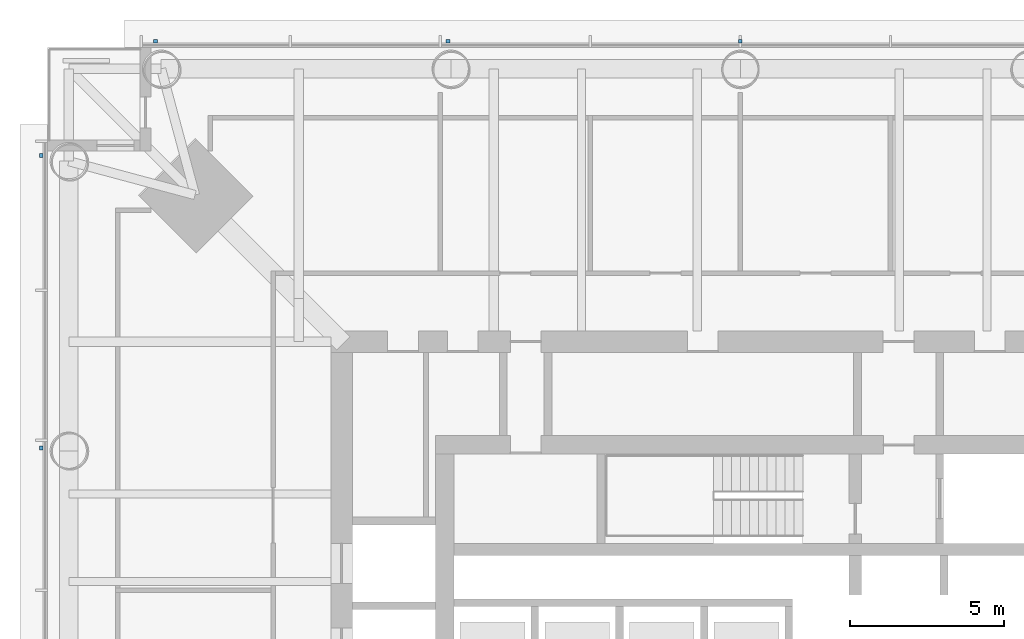
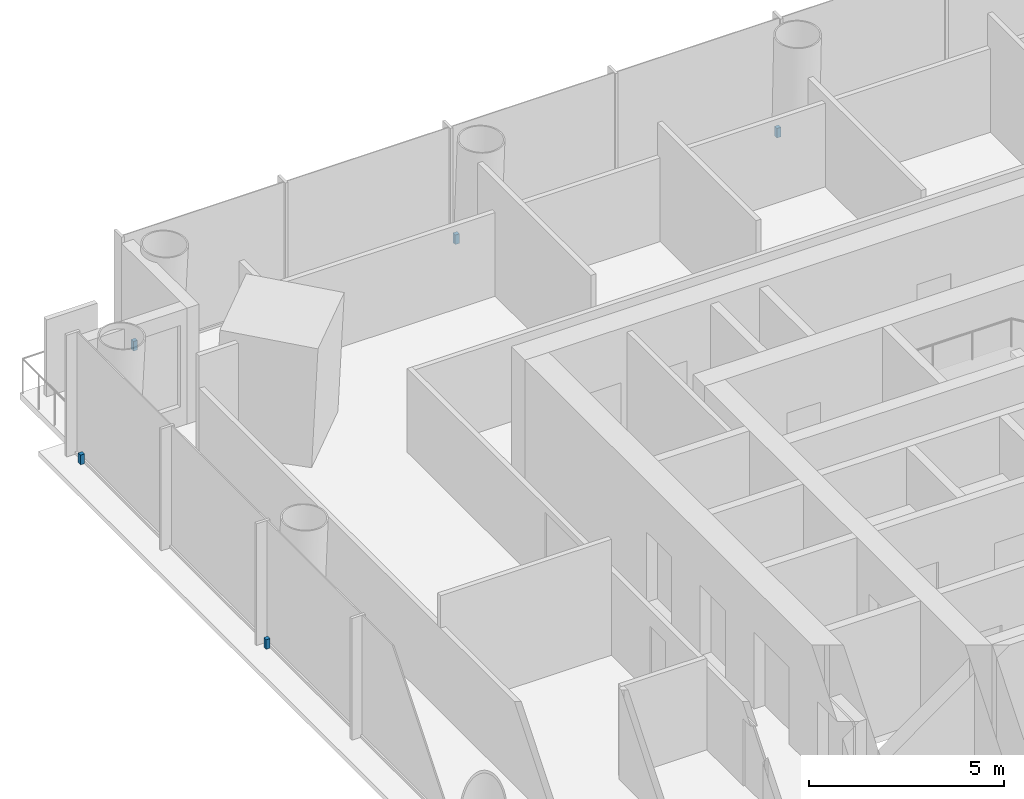
# One storey, part 20 of 27: 5 discrete accessories.
"""IFC4 building model written with IfcOpenShell, lengths in metres."""

from ifc_helpers import new_model, si_unit, direction, frame, origin, origin_2d, place, context, subcontext, project, spatial, rectangle, extrude, material, type_object, element, save


model = new_model("IFC4")

# Units and contexts
model_context = context("Model", 3, precision=1e-05, world=origin(), true_north=direction((0.0, 1.0)))
body_context = subcontext(model_context, "Body", "Model", "MODEL_VIEW")
ifc_project = project(units=[si_unit("LENGTHUNIT", "METRE"), si_unit("AREAUNIT", "SQUARE_METRE"), si_unit("VOLUMEUNIT", "CUBIC_METRE"), si_unit("PLANEANGLEUNIT", "RADIAN"), si_unit("MASSUNIT", "GRAM", prefix="KILO")], contexts=[model_context])

# Site, building, storey
site_placement = place(None, origin())
site = spatial("IfcSite", under=ifc_project, at=site_placement, CompositionType="ELEMENT")
building_placement = place(site_placement, origin())
building = spatial("IfcBuilding", under=site, at=building_placement, Name="Ostroluk Exchange", CompositionType="ELEMENT")
storey_placement = place(building_placement, frame((0.0, 0.0, 89.39990234375)))
storey = spatial("IfcBuildingStorey", under=building, at=storey_placement, Name="L22", CompositionType="ELEMENT", Elevation=89.39990234375)

# Discrete accessories
ifc_material = material(Name="Stainless steel", Category="steel")
discrete_accessory_type = type_object("IfcDiscreteAccessoryType", Name="Fall-arrest anchor PN-EN 795 type C", PredefinedType="USERDEFINED", material=ifc_material)
for number, where, z_axis, x_axis, name in (
    (1, (26.0, 68.7099609375, 0.0), (0.0, 0.0, 1.0), (1.0, 0.0, 0.0), "Fall-arrest anchor L22 north 1"),
    (2, (35.5, 68.7099609375, 0.0), (0.0, 0.0, 1.0), (1.0, 0.0, 0.0), "Fall-arrest anchor L22 north 2"),
    (3, (45.0, 68.7099609375, 0.0), (0.0, 0.0, 1.0), (1.0, 0.0, 0.0), "Fall-arrest anchor L22 north 3"),
    (4, (22.2900390625, 55.5, 0.0), (0.0, 0.0, 1.0), (1.0, 0.0, 0.0), "Fall-arrest anchor L22 west 4"),
    (5, (22.2900390625, 65.0, 0.0), (0.0, 0.0, 1.0), (1.0, 0.0, 0.0), "Fall-arrest anchor L22 west 5"),
):
    element("IfcDiscreteAccessory", number, at=place(storey_placement, frame(where, z_axis=z_axis, x_axis=x_axis)), inside=storey, type_object=discrete_accessory_type, Name=name, ObjectType="FALL ARREST ANCHOR", PredefinedType="USERDEFINED", context=body_context, shape_type="SweptSolid", body=[
        extrude(rectangle(XDim=0.1201171875, YDim=0.1201171875, at=origin_2d()), origin(), (0.0, 0.0, 1.0), 0.300048828125),
    ])

save(model, "model.ifc")
